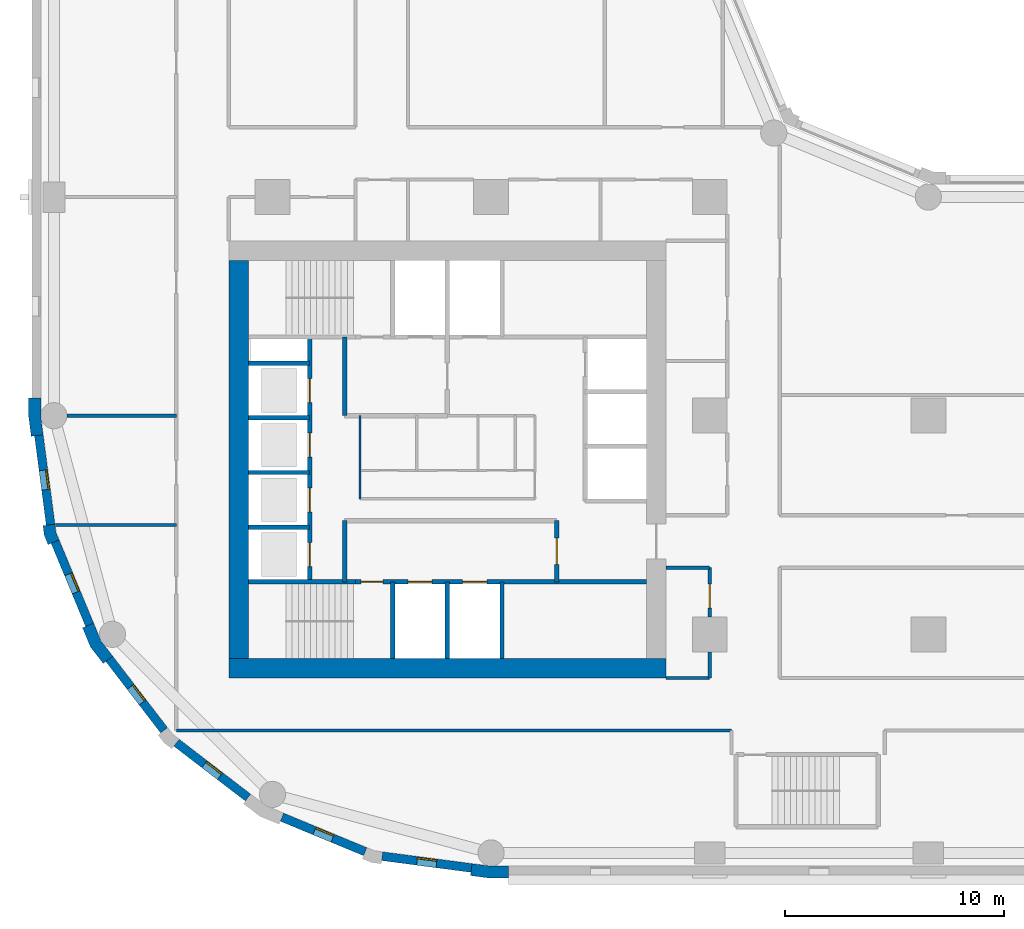
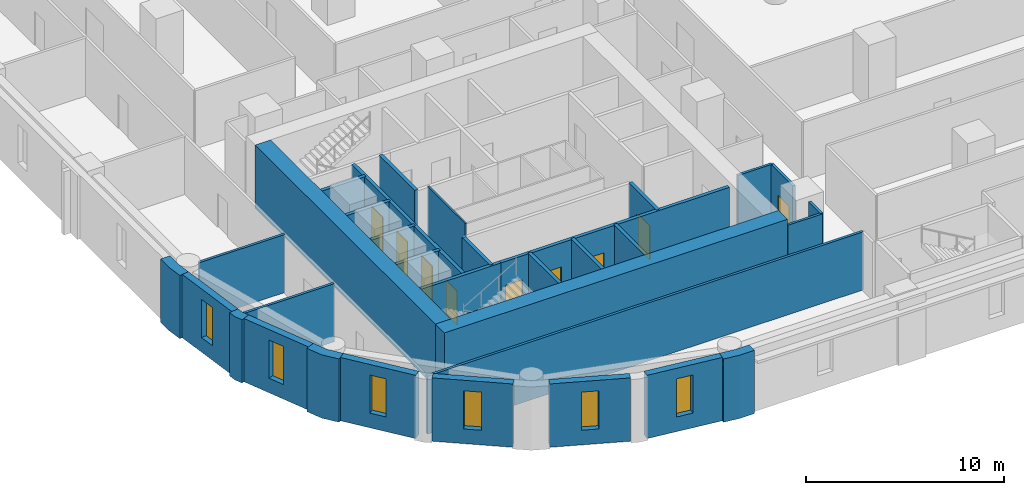
# One storey, part 2 of 10: 33 walls, 9 doors, 6 windows, 15 openings.
"""IFC4 building model written with IfcOpenShell, lengths in metres."""

from ifc_helpers import new_model, si_unit, direction, frame, frame_2d, origin, place, context, subcontext, project, spatial, polyline, rectangle, outline, extrude, material, layer, layer_set, type_object, element, fill, save


model = new_model("IFC4")

# Units and contexts
model_context = context("Model", 3, precision=1e-05, world=origin(), true_north=direction((0.0, 1.0)))
body_context = subcontext(model_context, "Body", "Model", "MODEL_VIEW")
ifc_project = project(units=[si_unit("LENGTHUNIT", "METRE"), si_unit("AREAUNIT", "SQUARE_METRE"), si_unit("VOLUMEUNIT", "CUBIC_METRE"), si_unit("PLANEANGLEUNIT", "RADIAN"), si_unit("MASSUNIT", "GRAM", prefix="KILO")], contexts=[model_context])

# Site, building, storey
site_placement = place(None, origin())
site = spatial("IfcSite", under=ifc_project, at=site_placement, CompositionType="ELEMENT")
building_placement = place(site_placement, origin())
building = spatial("IfcBuilding", under=site, at=building_placement, Name="Qaws Garden Tower", CompositionType="ELEMENT")
storey_placement = place(building_placement, frame((0.0, 0.0, 15.89990234375)))
storey = spatial("IfcBuildingStorey", under=building, at=storey_placement, Name="L03", CompositionType="ELEMENT", Elevation=15.89990234375)

# Wall, opening, window
ifc_material_1 = material(Name="Clay facing brick masonry", Category="masonry")
ifc_layer_1 = layer(ifc_material_1, 0.39990234375)
ifc_layer_set_1 = layer_set([ifc_layer_1], Name="Clay facing brick masonry")
wall_type_1 = type_object("IfcWallType", Name="Brick infill wall 400", PredefinedType="SOLIDWALL", material=ifc_layer_set_1)
wall_1_placement = place(storey_placement, frame((-0.688720703125, 19.102294921875, 0.0), z_axis=(0.0, 0.0, 1.0), x_axis=(0.130514280502, -0.991446429508, 0.0)))
wall_1 = element("IfcWall", 1, at=wall_1_placement, inside=storey, type_object=wall_type_1, Name="E-L03-infill-27", PredefinedType="SOLIDWALL", context=body_context, shape_type="SweptSolid", body=[
    extrude(rectangle(XDim=4.120849609375, YDim=0.39990234375, at=frame_2d((2.060546875, 0.0))), origin(), (0.0, 0.0, 1.0), 3.900146484375),
])
opening_1_placement = place(wall_1_placement, frame((1.610595703125, 0.0, 0.89990234375)))
opening_1 = element("IfcOpeningElement", 2, at=opening_1_placement, cuts=wall_1, Name="Opening W09", PredefinedType="OPENING", context=body_context, shape_type="SweptSolid", body=[
    extrude(rectangle(XDim=0.89990234375, YDim=2.35009765625, at=frame_2d((0.449951171875, 1.175048828125))), frame((0.0, 0.2099609375, 0.0), z_axis=(0.0, -1.0, 0.0), x_axis=(1.0, 0.0, 0.0)), (0.0, 0.0, 1.0), 0.419921875),
])
ifc_material_2 = material(Name="Aluminium framed window, clear glazing", Category="aluminium")
window_type = type_object("IfcWindowType", Name="Slit window 900 x 2350", PartitioningType="SINGLE_PANEL", PredefinedType="WINDOW", material=ifc_material_2)
window_1_placement = place(opening_1_placement, origin())
window_1 = element("IfcWindow", 3, at=window_1_placement, inside=storey, type_object=window_type, Name="E-L03-window-27-0", OverallHeight=2.35009765625, OverallWidth=0.89990234375, PartitioningType="SINGLE_PANEL", PredefinedType="WINDOW", context=body_context, shape_type="SweptSolid", body=[
    extrude(rectangle(XDim=0.89990234375, YDim=2.35009765625, at=frame_2d((0.449951171875, 1.175048828125))), frame((0.0, 0.159912109375, 0.0), z_axis=(0.0, -1.0, 0.0), x_axis=(1.0, 0.0, 0.0)), (0.0, 0.0, 1.0), 0.06005859375),
])
fill(opening_1, window_1)

wall_2_placement = place(storey_placement, frame((0.05712890625, 14.240234375, 0.0), z_axis=(0.0, 0.0, 1.0), x_axis=(0.382721546029, -0.923863744394, 0.0)))
wall_2 = element("IfcWall", 4, at=wall_2_placement, inside=storey, type_object=wall_type_1, Name="E-L03-infill-28", PredefinedType="SOLIDWALL", context=body_context, shape_type="SweptSolid", body=[
    extrude(rectangle(XDim=4.120849609375, YDim=0.39990234375, at=frame_2d((2.060546875, 0.0))), origin(), (0.0, 0.0, 1.0), 3.900146484375),
])
opening_2_placement = place(wall_2_placement, frame((1.610595703125, 0.0, 0.89990234375)))
opening_2 = element("IfcOpeningElement", 5, at=opening_2_placement, cuts=wall_2, Name="Opening W09", PredefinedType="OPENING", context=body_context, shape_type="SweptSolid", body=[
    extrude(rectangle(XDim=0.89990234375, YDim=2.35009765625, at=frame_2d((0.449951171875, 1.175048828125))), frame((0.0, 0.2099609375, 0.0), z_axis=(0.0, -1.0, 0.0), x_axis=(1.0, 0.0, 0.0)), (0.0, 0.0, 1.0), 0.419921875),
])
window_2_placement = place(opening_2_placement, origin())
window_2 = element("IfcWindow", 6, at=window_2_placement, inside=storey, type_object=window_type, Name="E-L03-window-28-0", OverallHeight=2.35009765625, OverallWidth=0.89990234375, PartitioningType="SINGLE_PANEL", PredefinedType="WINDOW", context=body_context, shape_type="SweptSolid", body=[
    extrude(rectangle(XDim=0.89990234375, YDim=2.35009765625, at=frame_2d((0.449951171875, 1.175048828125))), frame((0.0, 0.159912109375, 0.0), z_axis=(0.0, -1.0, 0.0), x_axis=(1.0, 0.0, 0.0)), (0.0, 0.0, 1.0), 0.06005859375),
])
fill(opening_2, window_2)

wall_3_placement = place(storey_placement, frame((2.53173828125, 8.87841796875, 0.0), z_axis=(0.0, 0.0, 1.0), x_axis=(0.608759824817, -0.793354571229, 0.0)))
wall_3 = element("IfcWall", 7, at=wall_3_placement, inside=storey, type_object=wall_type_1, Name="E-L03-infill-29", PredefinedType="SOLIDWALL", context=body_context, shape_type="SweptSolid", body=[
    extrude(rectangle(XDim=4.12109375, YDim=0.39990234375, at=frame_2d((2.060546875, 0.0))), origin(), (0.0, 0.0, 1.0), 3.900146484375),
])
opening_3_placement = place(wall_3_placement, frame((1.610595703125, 0.0, 0.89990234375)))
opening_3 = element("IfcOpeningElement", 8, at=opening_3_placement, cuts=wall_3, Name="Opening W09", PredefinedType="OPENING", context=body_context, shape_type="SweptSolid", body=[
    extrude(rectangle(XDim=0.89990234375, YDim=2.35009765625, at=frame_2d((0.449951171875, 1.175048828125))), frame((0.0, 0.2099609375, 0.0), z_axis=(0.0, -1.0, 0.0), x_axis=(1.0, 0.0, 0.0)), (0.0, 0.0, 1.0), 0.419921875),
])
window_3_placement = place(opening_3_placement, origin())
window_3 = element("IfcWindow", 9, at=window_3_placement, inside=storey, type_object=window_type, Name="E-L03-window-29-0", OverallHeight=2.35009765625, OverallWidth=0.89990234375, PartitioningType="SINGLE_PANEL", PredefinedType="WINDOW", context=body_context, shape_type="SweptSolid", body=[
    extrude(rectangle(XDim=0.89990234375, YDim=2.35009765625, at=frame_2d((0.449951171875, 1.175048828125))), frame((0.0, 0.159912109375, 0.0), z_axis=(0.0, -1.0, 0.0), x_axis=(1.0, 0.0, 0.0)), (0.0, 0.0, 1.0), 0.06005859375),
])
fill(opening_3, window_3)

wall_4_placement = place(storey_placement, frame((5.60888671875, 5.04052734375, 0.0), z_axis=(0.0, 0.0, 1.0), x_axis=(0.793354571229, -0.608759824817, 0.0)))
wall_4 = element("IfcWall", 10, at=wall_4_placement, inside=storey, type_object=wall_type_1, Name="E-L03-infill-30", PredefinedType="SOLIDWALL", context=body_context, shape_type="SweptSolid", body=[
    extrude(rectangle(XDim=4.12109375, YDim=0.39990234375, at=frame_2d((2.060546875, 0.0))), origin(), (0.0, 0.0, 1.0), 3.900146484375),
])
opening_4_placement = place(wall_4_placement, frame((1.610595703125, 0.0, 0.89990234375)))
opening_4 = element("IfcOpeningElement", 11, at=opening_4_placement, cuts=wall_4, Name="Opening W09", PredefinedType="OPENING", context=body_context, shape_type="SweptSolid", body=[
    extrude(rectangle(XDim=0.89990234375, YDim=2.35009765625, at=frame_2d((0.449951171875, 1.175048828125))), frame((0.0, 0.2099609375, 0.0), z_axis=(0.0, -1.0, 0.0), x_axis=(1.0, 0.0, 0.0)), (0.0, 0.0, 1.0), 0.419921875),
])
window_4_placement = place(opening_4_placement, origin())
window_4 = element("IfcWindow", 12, at=window_4_placement, inside=storey, type_object=window_type, Name="E-L03-window-30-0", OverallHeight=2.35009765625, OverallWidth=0.89990234375, PartitioningType="SINGLE_PANEL", PredefinedType="WINDOW", context=body_context, shape_type="SweptSolid", body=[
    extrude(rectangle(XDim=0.89990234375, YDim=2.35009765625, at=frame_2d((0.449951171875, 1.175048828125))), frame((0.0, 0.159912109375, 0.0), z_axis=(0.0, -1.0, 0.0), x_axis=(1.0, 0.0, 0.0)), (0.0, 0.0, 1.0), 0.06005859375),
])
fill(opening_4, window_4)

wall_5_placement = place(storey_placement, frame((10.43310546875, 1.63427734375, 0.0), z_axis=(0.0, 0.0, 1.0), x_axis=(0.923863744394, -0.382721546029, 0.0)))
wall_5 = element("IfcWall", 13, at=wall_5_placement, inside=storey, type_object=wall_type_1, Name="E-L03-infill-31", PredefinedType="SOLIDWALL", context=body_context, shape_type="SweptSolid", body=[
    extrude(rectangle(XDim=4.120849609375, YDim=0.39990234375, at=frame_2d((2.060546875, 0.0))), origin(), (0.0, 0.0, 1.0), 3.900146484375),
])
opening_5_placement = place(wall_5_placement, frame((1.610595703125, 0.0, 0.89990234375)))
opening_5 = element("IfcOpeningElement", 14, at=opening_5_placement, cuts=wall_5, Name="Opening W09", PredefinedType="OPENING", context=body_context, shape_type="SweptSolid", body=[
    extrude(rectangle(XDim=0.89990234375, YDim=2.35009765625, at=frame_2d((0.449951171875, 1.175048828125))), frame((0.0, 0.2099609375, 0.0), z_axis=(0.0, -1.0, 0.0), x_axis=(1.0, 0.0, 0.0)), (0.0, 0.0, 1.0), 0.419921875),
])
window_5_placement = place(opening_5_placement, origin())
window_5 = element("IfcWindow", 15, at=window_5_placement, inside=storey, type_object=window_type, Name="E-L03-window-31-0", OverallHeight=2.35009765625, OverallWidth=0.89990234375, PartitioningType="SINGLE_PANEL", PredefinedType="WINDOW", context=body_context, shape_type="SweptSolid", body=[
    extrude(rectangle(XDim=0.89990234375, YDim=2.35009765625, at=frame_2d((0.449951171875, 1.175048828125))), frame((0.0, 0.159912109375, 0.0), z_axis=(0.0, -1.0, 0.0), x_axis=(1.0, 0.0, 0.0)), (0.0, 0.0, 1.0), 0.06005859375),
])
fill(opening_5, window_5)

wall_6_placement = place(storey_placement, frame((15.0166015625, -0.15087890625, 0.0), z_axis=(0.0, 0.0, 1.0), x_axis=(0.991446429508, -0.130514280502, 0.0)))
wall_6 = element("IfcWall", 16, at=wall_6_placement, inside=storey, type_object=wall_type_1, Name="E-L03-infill-32", PredefinedType="SOLIDWALL", context=body_context, shape_type="SweptSolid", body=[
    extrude(rectangle(XDim=4.120849609375, YDim=0.39990234375, at=frame_2d((2.060546875, 0.0))), origin(), (0.0, 0.0, 1.0), 3.900146484375),
])
opening_6_placement = place(wall_6_placement, frame((1.610595703125, 0.0, 0.89990234375)))
opening_6 = element("IfcOpeningElement", 17, at=opening_6_placement, cuts=wall_6, Name="Opening W09", PredefinedType="OPENING", context=body_context, shape_type="SweptSolid", body=[
    extrude(rectangle(XDim=0.89990234375, YDim=2.35009765625, at=frame_2d((0.449951171875, 1.175048828125))), frame((0.0, 0.2099609375, 0.0), z_axis=(0.0, -1.0, 0.0), x_axis=(1.0, 0.0, 0.0)), (0.0, 0.0, 1.0), 0.419921875),
])
window_6_placement = place(opening_6_placement, origin())
window_6 = element("IfcWindow", 18, at=window_6_placement, inside=storey, type_object=window_type, Name="E-L03-window-32-0", OverallHeight=2.35009765625, OverallWidth=0.89990234375, PartitioningType="SINGLE_PANEL", PredefinedType="WINDOW", context=body_context, shape_type="SweptSolid", body=[
    extrude(rectangle(XDim=0.89990234375, YDim=2.35009765625, at=frame_2d((0.449951171875, 1.175048828125))), frame((0.0, 0.159912109375, 0.0), z_axis=(0.0, -1.0, 0.0), x_axis=(1.0, 0.0, 0.0)), (0.0, 0.0, 1.0), 0.06005859375),
])
fill(opening_6, window_6)

# Walls
ifc_material_3 = material(Name="Clay facing brick masonry", Category="masonry")
ifc_layer_2 = layer(ifc_material_3, 0.550048828125)
ifc_layer_set_2 = layer_set([ifc_layer_2], Name="Clay facing brick masonry")
wall_type_2 = type_object("IfcWallType", Name="Brick kink pier 550 x 600", PredefinedType="SOLIDWALL", material=ifc_layer_set_2)
placement = place(storey_placement, origin())
element("IfcWall", 19, at=placement, inside=storey, type_object=wall_type_2, Name="E-L03-pier-28", PredefinedType="SOLIDWALL", context=body_context, shape_type="SweptSolid", body=[
    extrude(outline(polyline([(-0.34912109375, 14.990478515625), (-0.497802734375, 14.970947265625), (-0.43896484375, 14.5234375), (-0.26611328125, 14.1064453125), (-0.127685546875, 14.163818359375), (0.241943359375, 14.31689453125), (0.096923828125, 14.6669921875), (0.04736328125, 15.042724609375), (-0.34912109375, 14.990478515625)])), origin(), (0.0, 0.0, 1.0), 3.900146484375),
])
ifc_material_4 = material(Name="Clay facing brick masonry", Category="masonry")
ifc_layer_3 = layer(ifc_material_4, 0.550048828125)
ifc_layer_set_3 = layer_set([ifc_layer_3], Name="Clay facing brick masonry")
wall_type_3 = type_object("IfcWallType", Name="Brick pier 550 x 1600", PredefinedType="SOLIDWALL", material=ifc_layer_set_3)
element("IfcWall", 20, at=placement, inside=storey, type_object=wall_type_3, Name="E-L03-pier-00", PredefinedType="SOLIDWALL", context=body_context, shape_type="SweptSolid", body=[
    extrude(outline(polyline([(19.076416015625, -0.886962890625), (19.056640625, -1.03564453125), (19.924560546875, -1.14990234375), (20.800048828125, -1.14990234375), (20.800048828125, -1.0), (20.800048828125, -0.60009765625), (19.960693359375, -0.60009765625), (19.12841796875, -0.490478515625), (19.076416015625, -0.886962890625)])), origin(), (0.0, 0.0, 1.0), 3.900146484375),
])
element("IfcWall", 21, at=placement, inside=storey, type_object=wall_type_3, Name="E-L03-pier-27", PredefinedType="SOLIDWALL", context=body_context, shape_type="SweptSolid", body=[
    extrude(outline(polyline([(-1.0, 20.800048828125), (-1.14990234375, 20.800048828125), (-1.14990234375, 19.924560546875), (-1.03564453125, 19.056640625), (-0.886962890625, 19.076416015625), (-0.490478515625, 19.12841796875), (-0.60009765625, 19.960693359375), (-0.60009765625, 20.800048828125), (-1.0, 20.800048828125)])), origin(), (0.0, 0.0, 1.0), 3.900146484375),
])
element("IfcWall", 22, at=placement, inside=storey, type_object=wall_type_3, Name="E-L03-pier-29", PredefinedType="SOLIDWALL", context=body_context, shape_type="SweptSolid", body=[
    extrude(outline(polyline([(1.449462890625, 10.3564453125), (1.310791015625, 10.299072265625), (1.675048828125, 9.419921875), (2.254150390625, 8.665283203125), (2.373046875, 8.756591796875), (2.6904296875, 9.0), (2.1552734375, 9.697509765625), (1.819091796875, 10.509521484375), (1.449462890625, 10.3564453125)])), origin(), (0.0, 0.0, 1.0), 3.900146484375),
])
ifc_material_5 = material(Name="Plasterboard")
ifc_layer_4 = layer(ifc_material_5, 0.10009765625)
ifc_layer_set_4 = layer_set([ifc_layer_4], Name="Plasterboard")
wall_type_4 = type_object("IfcWallType", Name="Core partition 100", PredefinedType="PARTITIONING", material=ifc_layer_set_4)
wall_11_placement = place(storey_placement, frame((14.0, 16.199951171875, 0.0), z_axis=(0.0, 0.0, 1.0), x_axis=(0.0, 1.0, 0.0)))
element("IfcWall", 23, at=wall_11_placement, inside=storey, type_object=wall_type_4, Name="Core partition", PredefinedType="PARTITIONING", context=body_context, shape_type="SweptSolid", body=[
    extrude(rectangle(XDim=3.800048828125, YDim=0.10009765625, at=frame_2d((1.89990234375, 0.0))), origin(), (0.0, 0.0, 1.0), 3.580078125),
])
ifc_material_6 = material(Name="Concrete C80", Category="concrete")
ifc_layer_5 = layer(ifc_material_6, 0.199951171875)
ifc_layer_set_5 = layer_set([ifc_layer_5], Name="Concrete C80")
wall_type_5 = type_object("IfcWallType", Name="Core shaft wall 200 C80", PredefinedType="SHEAR", material=ifc_layer_set_5)
wall_12_placement = place(storey_placement, frame((8.89990234375, 12.39990234375, 0.0), z_axis=(0.0, 0.0, 1.0), x_axis=(1.0, 0.0, 0.0)))
element("IfcWall", 24, at=wall_12_placement, inside=storey, type_object=wall_type_5, Name="Shaft wall", PredefinedType="SHEAR", context=body_context, shape_type="SweptSolid", body=[
    extrude(rectangle(XDim=4.900146484375, YDim=0.199951171875, at=frame_2d((2.4501953125, 0.0))), origin(), (0.0, 0.0, 1.0), 3.580078125),
])

# Wall, openings, doors
wall_13_placement = place(storey_placement, frame((13.800048828125, 12.39990234375, 0.0), z_axis=(0.0, 0.0, 1.0), x_axis=(1.0, 0.0, 0.0)))
wall_13 = element("IfcWall", 25, at=wall_13_placement, inside=storey, type_object=wall_type_5, Name="Shaft wall", PredefinedType="SHEAR", context=body_context, shape_type="SweptSolid", body=[
    extrude(rectangle(XDim=13.300048828125, YDim=0.199951171875, at=frame_2d((6.64990234375, 0.0))), origin(), (0.0, 0.0, 1.0), 3.580078125),
])
opening_7_placement = place(wall_13_placement, frame((2.39990234375, 0.0, 0.0)))
opening_7 = element("IfcOpeningElement", 26, at=opening_7_placement, cuts=wall_13, Name="Opening LD06", PredefinedType="OPENING", context=body_context, shape_type="SweptSolid", body=[
    extrude(rectangle(XDim=1.10009765625, YDim=2.10009765625, at=frame_2d((0.550048828125, 1.050048828125))), frame((0.0, 0.10986328125, 0.0), z_axis=(0.0, -1.0, 0.0), x_axis=(1.0, 0.0, 0.0)), (0.0, 0.0, 1.0), 0.219970703125),
])
opening_8_placement = place(wall_13_placement, frame((4.89990234375, 0.0, 0.0)))
opening_8 = element("IfcOpeningElement", 27, at=opening_8_placement, cuts=wall_13, Name="Opening LD07", PredefinedType="OPENING", context=body_context, shape_type="SweptSolid", body=[
    extrude(rectangle(XDim=1.10009765625, YDim=2.10009765625, at=frame_2d((0.550048828125, 1.050048828125))), frame((0.0, 0.10986328125, 0.0), z_axis=(0.0, -1.0, 0.0), x_axis=(1.0, 0.0, 0.0)), (0.0, 0.0, 1.0), 0.219970703125),
])
opening_9_placement = place(wall_13_placement, frame((0.25, 0.0, 0.0)))
opening_9 = element("IfcOpeningElement", 28, at=opening_9_placement, cuts=wall_13, Name="Opening SD10", PredefinedType="OPENING", context=body_context, shape_type="SweptSolid", body=[
    extrude(rectangle(XDim=1.0, YDim=2.10009765625, at=frame_2d((0.5, 1.050048828125))), frame((0.0, 0.10986328125, 0.0), z_axis=(0.0, -1.0, 0.0), x_axis=(1.0, 0.0, 0.0)), (0.0, 0.0, 1.0), 0.219970703125),
])
ifc_material_7 = material(Name="Steel S235", Category="steel")
door_type_1 = type_object("IfcDoorType", Name="Landing door 1100x2100", OperationType="DOUBLE_DOOR_SLIDING", PredefinedType="DOOR", material=ifc_material_7)
door_1_placement = place(opening_7_placement, origin())
door_1 = element("IfcDoor", 29, at=door_1_placement, inside=storey, type_object=door_type_1, Name="Lift FF1 landing door", OperationType="DOUBLE_DOOR_SLIDING", OverallHeight=2.10009765625, OverallWidth=1.10009765625, PredefinedType="DOOR", context=body_context, shape_type="SweptSolid", body=[
    extrude(rectangle(XDim=1.10009765625, YDim=2.10009765625, at=frame_2d((0.550048828125, 1.050048828125))), frame((0.0, 0.02490234375, 0.0), z_axis=(0.0, -1.0, 0.0), x_axis=(1.0, 0.0, 0.0)), (0.0, 0.0, 1.0), 0.050048828125),
])
fill(opening_7, door_1)
door_2_placement = place(opening_8_placement, origin())
door_2 = element("IfcDoor", 30, at=door_2_placement, inside=storey, type_object=door_type_1, Name="Lift FF2 landing door", OperationType="DOUBLE_DOOR_SLIDING", OverallHeight=2.10009765625, OverallWidth=1.10009765625, PredefinedType="DOOR", context=body_context, shape_type="SweptSolid", body=[
    extrude(rectangle(XDim=1.10009765625, YDim=2.10009765625, at=frame_2d((0.550048828125, 1.050048828125))), frame((0.0, 0.02490234375, 0.0), z_axis=(0.0, -1.0, 0.0), x_axis=(1.0, 0.0, 0.0)), (0.0, 0.0, 1.0), 0.050048828125),
])
fill(opening_8, door_2)
ifc_material_8 = material(Name="Steel S235", Category="steel")
door_type_2 = type_object("IfcDoorType", Name="Stair door 1000x2100", OperationType="SINGLE_SWING_RIGHT", PredefinedType="DOOR", material=ifc_material_8)
door_3_placement = place(opening_9_placement, frame((1.0, 0.0, 0.0), z_axis=(0.0, 0.0, 1.0), x_axis=(-1.0, 0.0, 0.0)))
door_3 = element("IfcDoor", 31, at=door_3_placement, inside=storey, type_object=door_type_2, Name="Stair 1 door", OperationType="SINGLE_SWING_LEFT", OverallHeight=2.10009765625, OverallWidth=1.0, PredefinedType="DOOR", context=body_context, shape_type="SweptSolid", body=[
    extrude(rectangle(XDim=1.0, YDim=2.10009765625, at=frame_2d((0.5, 1.050048828125))), frame((0.0, 0.02490234375, 0.0), z_axis=(0.0, -1.0, 0.0), x_axis=(1.0, 0.0, 0.0)), (0.0, 0.0, 1.0), 0.050048828125),
])
fill(opening_9, door_3)

# Walls
for number, where, z_axis, x_axis, name in (
    (32, (8.89990234375, 14.89990234375, 0.0), (0.0, 0.0, 1.0), (1.0, 0.0, 0.0), "Shaft wall"),
    (33, (8.89990234375, 17.39990234375, 0.0), (0.0, 0.0, 1.0), (1.0, 0.0, 0.0), "Shaft wall"),
    (34, (8.89990234375, 19.89990234375, 0.0), (0.0, 0.0, 1.0), (1.0, 0.0, 0.0), "Shaft wall"),
    (35, (8.89990234375, 22.39990234375, 0.0), (0.0, 0.0, 1.0), (1.0, 0.0, 0.0), "Shaft wall"),
):
    element("IfcWall", number, at=place(storey_placement, frame(where, z_axis=z_axis, x_axis=x_axis)), inside=storey, type_object=wall_type_5, Name=name, PredefinedType="SHEAR", context=body_context, shape_type="SweptSolid", body=[
        extrude(rectangle(XDim=2.800048828125, YDim=0.199951171875, at=frame_2d((1.39990234375, 0.0))), origin(), (0.0, 0.0, 1.0), 3.580078125),
    ])

# Wall, openings, doors
wall_14_placement = place(storey_placement, frame((11.699951171875, 12.39990234375, 0.0), z_axis=(0.0, 0.0, 1.0), x_axis=(0.0, 1.0, 0.0)))
wall_14 = element("IfcWall", 36, at=wall_14_placement, inside=storey, type_object=wall_type_5, Name="Shaft wall", PredefinedType="SHEAR", context=body_context, shape_type="SweptSolid", body=[
    extrude(rectangle(XDim=11.2001953125, YDim=0.199951171875, at=frame_2d((5.60009765625, 0.0))), origin(), (0.0, 0.0, 1.0), 3.580078125),
])
opening_10_placement = place(wall_14_placement, frame((0.699951171875, 0.0, 0.0)))
opening_10 = element("IfcOpeningElement", 37, at=opening_10_placement, cuts=wall_14, Name="Opening LD01", PredefinedType="OPENING", context=body_context, shape_type="SweptSolid", body=[
    extrude(rectangle(XDim=1.10009765625, YDim=2.10009765625, at=frame_2d((0.550048828125, 1.050048828125))), frame((0.0, 0.10986328125, 0.0), z_axis=(0.0, -1.0, 0.0), x_axis=(1.0, 0.0, 0.0)), (0.0, 0.0, 1.0), 0.219970703125),
])
opening_11_placement = place(wall_14_placement, frame((3.199951171875, 0.0, 0.0)))
opening_11 = element("IfcOpeningElement", 38, at=opening_11_placement, cuts=wall_14, Name="Opening LD02", PredefinedType="OPENING", context=body_context, shape_type="SweptSolid", body=[
    extrude(rectangle(XDim=1.10009765625, YDim=2.10009765625, at=frame_2d((0.550048828125, 1.050048828125))), frame((0.0, 0.10986328125, 0.0), z_axis=(0.0, -1.0, 0.0), x_axis=(1.0, 0.0, 0.0)), (0.0, 0.0, 1.0), 0.219970703125),
])
opening_12_placement = place(wall_14_placement, frame((5.699951171875, 0.0, 0.0)))
opening_12 = element("IfcOpeningElement", 39, at=opening_12_placement, cuts=wall_14, Name="Opening LD03", PredefinedType="OPENING", context=body_context, shape_type="SweptSolid", body=[
    extrude(rectangle(XDim=1.10009765625, YDim=2.10009765625, at=frame_2d((0.550048828125, 1.050048828125))), frame((0.0, 0.10986328125, 0.0), z_axis=(0.0, -1.0, 0.0), x_axis=(1.0, 0.0, 0.0)), (0.0, 0.0, 1.0), 0.219970703125),
])
opening_13_placement = place(wall_14_placement, frame((8.199951171875, 0.0, 0.0)))
opening_13 = element("IfcOpeningElement", 40, at=opening_13_placement, cuts=wall_14, Name="Opening LD04", PredefinedType="OPENING", context=body_context, shape_type="SweptSolid", body=[
    extrude(rectangle(XDim=1.10009765625, YDim=2.10009765625, at=frame_2d((0.550048828125, 1.050048828125))), frame((0.0, 0.10986328125, 0.0), z_axis=(0.0, -1.0, 0.0), x_axis=(1.0, 0.0, 0.0)), (0.0, 0.0, 1.0), 0.219970703125),
])
door_4_placement = place(opening_10_placement, origin())
door_4 = element("IfcDoor", 41, at=door_4_placement, inside=storey, type_object=door_type_1, Name="Lift W1 landing door", OperationType="DOUBLE_DOOR_SLIDING", OverallHeight=2.10009765625, OverallWidth=1.10009765625, PredefinedType="DOOR", context=body_context, shape_type="SweptSolid", body=[
    extrude(rectangle(XDim=1.10009765625, YDim=2.10009765625, at=frame_2d((0.550048828125, 1.050048828125))), frame((0.0, 0.02490234375, 0.0), z_axis=(0.0, -1.0, 0.0), x_axis=(1.0, 0.0, 0.0)), (0.0, 0.0, 1.0), 0.050048828125),
])
fill(opening_10, door_4)
door_5_placement = place(opening_11_placement, origin())
door_5 = element("IfcDoor", 42, at=door_5_placement, inside=storey, type_object=door_type_1, Name="Lift W2 landing door", OperationType="DOUBLE_DOOR_SLIDING", OverallHeight=2.10009765625, OverallWidth=1.10009765625, PredefinedType="DOOR", context=body_context, shape_type="SweptSolid", body=[
    extrude(rectangle(XDim=1.10009765625, YDim=2.10009765625, at=frame_2d((0.550048828125, 1.050048828125))), frame((0.0, 0.02490234375, 0.0), z_axis=(0.0, -1.0, 0.0), x_axis=(1.0, 0.0, 0.0)), (0.0, 0.0, 1.0), 0.050048828125),
])
fill(opening_11, door_5)
door_6_placement = place(opening_12_placement, origin())
door_6 = element("IfcDoor", 43, at=door_6_placement, inside=storey, type_object=door_type_1, Name="Lift W3 landing door", OperationType="DOUBLE_DOOR_SLIDING", OverallHeight=2.10009765625, OverallWidth=1.10009765625, PredefinedType="DOOR", context=body_context, shape_type="SweptSolid", body=[
    extrude(rectangle(XDim=1.10009765625, YDim=2.10009765625, at=frame_2d((0.550048828125, 1.050048828125))), frame((0.0, 0.02490234375, 0.0), z_axis=(0.0, -1.0, 0.0), x_axis=(1.0, 0.0, 0.0)), (0.0, 0.0, 1.0), 0.050048828125),
])
fill(opening_12, door_6)
door_7_placement = place(opening_13_placement, origin())
door_7 = element("IfcDoor", 44, at=door_7_placement, inside=storey, type_object=door_type_1, Name="Lift W4 landing door", OperationType="DOUBLE_DOOR_SLIDING", OverallHeight=2.10009765625, OverallWidth=1.10009765625, PredefinedType="DOOR", context=body_context, shape_type="SweptSolid", body=[
    extrude(rectangle(XDim=1.10009765625, YDim=2.10009765625, at=frame_2d((0.550048828125, 1.050048828125))), frame((0.0, 0.02490234375, 0.0), z_axis=(0.0, -1.0, 0.0), x_axis=(1.0, 0.0, 0.0)), (0.0, 0.0, 1.0), 0.050048828125),
])
fill(opening_13, door_7)

# Walls
wall_15_placement = place(storey_placement, frame((13.300048828125, 12.39990234375, 0.0), z_axis=(0.0, 0.0, 1.0), x_axis=(0.0, 1.0, 0.0)))
element("IfcWall", 45, at=wall_15_placement, inside=storey, type_object=wall_type_5, Name="Shaft wall", PredefinedType="SHEAR", context=body_context, shape_type="SweptSolid", body=[
    extrude(rectangle(XDim=2.800048828125, YDim=0.199951171875, at=frame_2d((1.39990234375, 0.0))), origin(), (0.0, 0.0, 1.0), 3.580078125),
])
wall_16_placement = place(storey_placement, frame((13.300048828125, 20.0, 0.0), z_axis=(0.0, 0.0, 1.0), x_axis=(0.0, 1.0, 0.0)))
element("IfcWall", 46, at=wall_16_placement, inside=storey, type_object=wall_type_5, Name="Shaft wall", PredefinedType="SHEAR", context=body_context, shape_type="SweptSolid", body=[
    extrude(rectangle(XDim=3.60009765625, YDim=0.199951171875, at=frame_2d((1.800048828125, 0.0))), origin(), (0.0, 0.0, 1.0), 3.580078125),
])
for number, where, z_axis, x_axis, name in (
    (47, (15.5, 8.89990234375, 0.0), (0.0, 0.0, 1.0), (0.0, 1.0, 0.0), "Shaft wall"),
    (48, (18.0, 8.89990234375, 0.0), (0.0, 0.0, 1.0), (0.0, 1.0, 0.0), "Shaft wall"),
    (49, (20.5, 8.89990234375, 0.0), (0.0, 0.0, 1.0), (0.0, 1.0, 0.0), "Shaft wall"),
):
    element("IfcWall", number, at=place(storey_placement, frame(where, z_axis=z_axis, x_axis=x_axis)), inside=storey, type_object=wall_type_5, Name=name, PredefinedType="SHEAR", context=body_context, shape_type="SweptSolid", body=[
        extrude(rectangle(XDim=3.5, YDim=0.199951171875, at=frame_2d((1.75, 0.0))), origin(), (0.0, 0.0, 1.0), 3.580078125),
    ])

# Wall, opening, door
wall_17_placement = place(storey_placement, frame((23.0, 12.39990234375, 0.0), z_axis=(0.0, 0.0, 1.0), x_axis=(0.0, 1.0, 0.0)))
wall_17 = element("IfcWall", 50, at=wall_17_placement, inside=storey, type_object=wall_type_5, Name="Shaft wall", PredefinedType="SHEAR", context=body_context, shape_type="SweptSolid", body=[
    extrude(rectangle(XDim=2.800048828125, YDim=0.199951171875, at=frame_2d((1.39990234375, 0.0))), origin(), (0.0, 0.0, 1.0), 3.580078125),
])
opening_14_placement = place(wall_17_placement, frame((0.800048828125, 0.0, 0.0)))
opening_14 = element("IfcOpeningElement", 51, at=opening_14_placement, cuts=wall_17, Name="Opening FD15", PredefinedType="OPENING", context=body_context, shape_type="SweptSolid", body=[
    extrude(rectangle(XDim=1.199951171875, YDim=2.10009765625, at=frame_2d((0.60009765625, 1.050048828125))), frame((0.0, 0.10986328125, 0.0), z_axis=(0.0, -1.0, 0.0), x_axis=(1.0, 0.0, 0.0)), (0.0, 0.0, 1.0), 0.219970703125),
])
ifc_material_9 = material(Name="Steel S235", Category="steel")
door_type_3 = type_object("IfcDoorType", Name="Lobby door 1200x2100", OperationType="DOUBLE_DOOR_SINGLE_SWING", PredefinedType="DOOR", material=ifc_material_9)
door_8_placement = place(opening_14_placement, origin())
door_8 = element("IfcDoor", 52, at=door_8_placement, inside=storey, type_object=door_type_3, Name="Fire-fighting lobby door", OperationType="DOUBLE_DOOR_SINGLE_SWING", OverallHeight=2.10009765625, OverallWidth=1.199951171875, PredefinedType="DOOR", context=body_context, shape_type="SweptSolid", body=[
    extrude(rectangle(XDim=1.199951171875, YDim=2.10009765625, at=frame_2d((0.60009765625, 1.050048828125))), frame((0.0, 0.02490234375, 0.0), z_axis=(0.0, -1.0, 0.0), x_axis=(1.0, 0.0, 0.0)), (0.0, 0.0, 1.0), 0.050048828125),
])
fill(opening_14, door_8)

# Walls
ifc_material_10 = material(Name="Concrete C80", Category="concrete")
ifc_layer_6 = layer(ifc_material_10, 0.89990234375)
ifc_layer_set_6 = layer_set([ifc_layer_6], Name="Concrete C80")
wall_type_6 = type_object("IfcWallType", Name="Core wall 900 C80", PredefinedType="SHEAR", material=ifc_layer_set_6)
wall_18_placement = place(storey_placement, frame((8.0, 8.449951171875, 0.0), z_axis=(0.0, 0.0, 1.0), x_axis=(1.0, 0.0, 0.0)))
element("IfcWall", 53, at=wall_18_placement, inside=storey, type_object=wall_type_6, Name="Core wall L03 south", PredefinedType="SHEAR", context=body_context, shape_type="SweptSolid", body=[
    extrude(rectangle(XDim=20.0, YDim=0.89990234375, at=frame_2d((10.0, 0.0))), origin(), (0.0, 0.0, 1.0), 3.900146484375),
])
wall_19_placement = place(storey_placement, frame((8.449951171875, 27.10009765625, 0.0), z_axis=(0.0, 0.0, 1.0), x_axis=(0.0, -1.0, 0.0)))
element("IfcWall", 54, at=wall_19_placement, inside=storey, type_object=wall_type_6, Name="Core wall L03 west", PredefinedType="SHEAR", context=body_context, shape_type="SweptSolid", body=[
    extrude(rectangle(XDim=18.2001953125, YDim=0.89990234375, at=frame_2d((9.10009765625, 0.0))), origin(), (0.0, 0.0, 1.0), 3.900146484375),
])
ifc_material_11 = material(Name="Gypsum board partition")
ifc_layer_7 = layer(ifc_material_11, 0.14990234375)
ifc_layer_set_7 = layer_set([ifc_layer_7], Name="Gypsum board partition")
wall_type_7 = type_object("IfcWallType", Name="PARTITION 150 EI 60", PredefinedType="PARTITIONING", material=ifc_layer_set_7)
wall_20_placement = place(storey_placement, frame((30.0, 8.0, 0.0), z_axis=(0.0, 0.0, 1.0), x_axis=(0.0, 1.0, 0.0)))
element("IfcWall", 55, at=wall_20_placement, inside=storey, type_object=wall_type_7, Name="O-L03-wall-014", PredefinedType="PARTITIONING", context=body_context, shape_type="SweptSolid", body=[
    extrude(rectangle(XDim=1.199951171875, YDim=0.14990234375, at=frame_2d((0.60009765625, 0.0))), origin(), (0.0, 0.0, 1.0), 3.580078125),
])

# Wall, opening, door
wall_21_placement = place(storey_placement, frame((30.0, 10.800048828125, 0.0), z_axis=(0.0, 0.0, 1.0), x_axis=(0.0, 1.0, 0.0)))
wall_21 = element("IfcWall", 56, at=wall_21_placement, inside=storey, type_object=wall_type_7, Name="O-L03-wall-015", PredefinedType="PARTITIONING", context=body_context, shape_type="SweptSolid", body=[
    extrude(rectangle(XDim=2.25, YDim=0.14990234375, at=frame_2d((1.125, 0.0))), origin(), (0.0, 0.0, 1.0), 3.580078125),
])
opening_15_placement = place(wall_21_placement, frame((0.39990234375, 0.0, 0.0)))
opening_15 = element("IfcOpeningElement", 57, at=opening_15_placement, cuts=wall_21, Name="Opening A104", PredefinedType="OPENING", context=body_context, shape_type="SweptSolid", body=[
    extrude(rectangle(XDim=1.10009765625, YDim=2.10009765625, at=frame_2d((0.550048828125, 1.050048828125))), frame((0.0, 0.0849609375, 0.0), z_axis=(0.0, -1.0, 0.0), x_axis=(1.0, 0.0, 0.0)), (0.0, 0.0, 1.0), 0.169921875),
])
ifc_material_12 = material(Name="Timber door leaf", Category="wood")
door_type_4 = type_object("IfcDoorType", Name="SERVICE ROOM DOOR 1100 X 2100", OperationType="SINGLE_SWING_LEFT", PredefinedType="DOOR", material=ifc_material_12)
door_9_placement = place(opening_15_placement, origin())
door_9 = element("IfcDoor", 58, at=door_9_placement, inside=storey, type_object=door_type_4, Name="O-L03-door-004", OperationType="SINGLE_SWING_LEFT", OverallHeight=2.10009765625, OverallWidth=1.10009765625, PredefinedType="DOOR", context=body_context, shape_type="SweptSolid", body=[
    extrude(rectangle(XDim=1.10009765625, YDim=2.10009765625, at=frame_2d((0.550048828125, 1.050048828125))), frame((0.0, 0.02490234375, 0.0), z_axis=(0.0, -1.0, 0.0), x_axis=(1.0, 0.0, 0.0)), (0.0, 0.0, 1.0), 0.050048828125),
])
fill(opening_15, door_9)

# Walls
wall_22_placement = place(storey_placement, frame((5.60009765625, 5.60009765625, 0.0), z_axis=(0.0, 0.0, 1.0), x_axis=(1.0, 0.0, 0.0)))
element("IfcWall", 59, at=wall_22_placement, inside=storey, type_object=wall_type_7, Name="O-L03-wall-028", PredefinedType="PARTITIONING", context=body_context, shape_type="SweptSolid", body=[
    extrude(rectangle(XDim=25.39990234375, YDim=0.14990234375, at=frame_2d((12.699951171875, 0.0))), origin(), (0.0, 0.0, 1.0), 3.580078125),
])
for number, where, z_axis, x_axis, name in (
    (60, (28.0, 8.0, 0.0), (0.0, 0.0, 1.0), (1.0, 0.0, 0.0), "O-L03-wall-030"),
    (61, (28.0, 13.050048828125, 0.0), (0.0, 0.0, 1.0), (1.0, 0.0, 0.0), "O-L03-wall-032"),
):
    element("IfcWall", number, at=place(storey_placement, frame(where, z_axis=z_axis, x_axis=x_axis)), inside=storey, type_object=wall_type_7, Name=name, PredefinedType="PARTITIONING", context=body_context, shape_type="SweptSolid", body=[
        extrude(rectangle(XDim=2.0, YDim=0.14990234375, at=frame_2d((1.0, 0.0))), origin(), (0.0, 0.0, 1.0), 3.580078125),
    ])
wall_23_placement = place(storey_placement, frame((0.06298828125, 15.0, 0.0), z_axis=(0.0, 0.0, 1.0), x_axis=(1.0, 0.0, 0.0)))
element("IfcWall", 62, at=wall_23_placement, inside=storey, type_object=wall_type_7, Name="O-L03-wall-034", PredefinedType="PARTITIONING", context=body_context, shape_type="SweptSolid", body=[
    extrude(rectangle(XDim=5.537109375, YDim=0.14990234375, at=frame_2d((2.7685546875, 0.0))), origin(), (0.0, 0.0, 1.0), 3.580078125),
])
wall_24_placement = place(storey_placement, frame((0.60009765625, 20.0, 0.0), z_axis=(0.0, 0.0, 1.0), x_axis=(1.0, 0.0, 0.0)))
element("IfcWall", 63, at=wall_24_placement, inside=storey, type_object=wall_type_7, Name="O-L03-wall-037", PredefinedType="PARTITIONING", context=body_context, shape_type="SweptSolid", body=[
    extrude(rectangle(XDim=5.0, YDim=0.14990234375, at=frame_2d((2.5, 0.0))), origin(), (0.0, 0.0, 1.0), 3.580078125),
])

save(model, "model.ifc")
